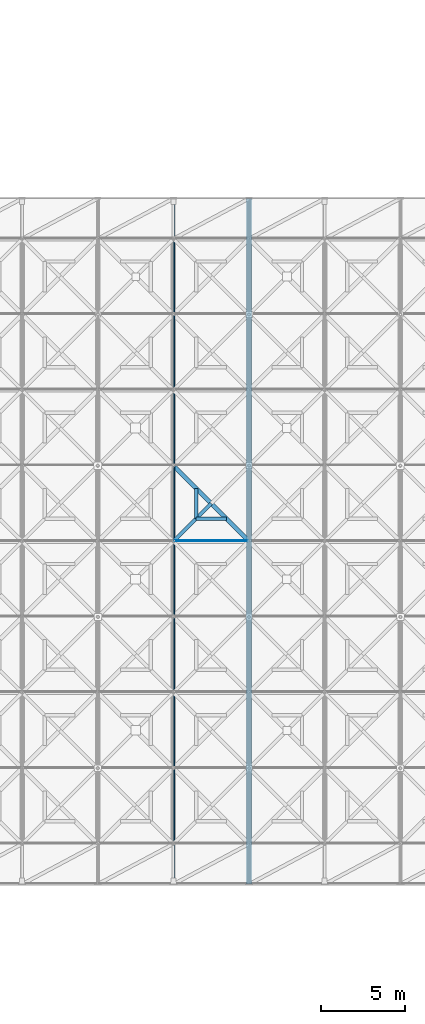
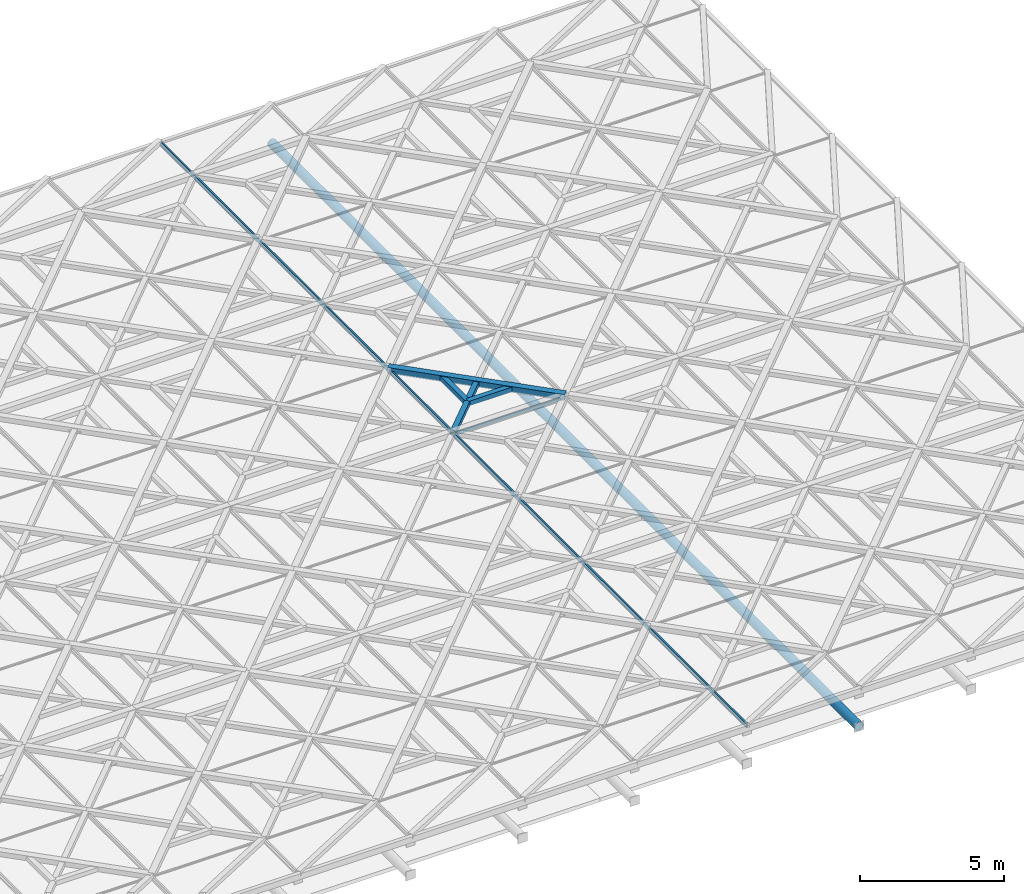
# One storey, part 39 of 80: 7 members, 1 element without a shape of its own.
"""IFC4 building model written with IfcOpenShell, lengths in metres."""

from ifc_helpers import new_model, si_unit, direction, frame, origin, origin_2d, place, context, subcontext, project, spatial, rectangle, hollow_rectangle, hollow_circle, extrude, material, material_profile, profile_set, type_object, element, aggregate, save


model = new_model("IFC4")

# Units and contexts
model_context = context("Model", 3, precision=1e-05, world=origin(), true_north=direction((0.0, 1.0)))
body_context = subcontext(model_context, "Body", "Model", "MODEL_VIEW")
ifc_project = project(units=[si_unit("LENGTHUNIT", "METRE"), si_unit("AREAUNIT", "SQUARE_METRE"), si_unit("VOLUMEUNIT", "CUBIC_METRE"), si_unit("PLANEANGLEUNIT", "RADIAN"), si_unit("MASSUNIT", "GRAM", prefix="KILO"), si_unit("THERMODYNAMICTEMPERATUREUNIT", "KELVIN"), si_unit("POWERUNIT", "WATT")], contexts=[model_context])

# Site, building, storey
site_placement = place(None, origin())
site = spatial("IfcSite", under=ifc_project, at=site_placement, CompositionType="ELEMENT")
building_placement = place(site_placement, origin())
building = spatial("IfcBuilding", under=site, at=building_placement, Name="Tallowbark Science Centre", CompositionType="ELEMENT")
storey_placement = place(building_placement, frame((0.0, 0.0, 25.949951171875)))
storey = spatial("IfcBuildingStorey", under=building, at=storey_placement, Name="ROOF", CompositionType="ELEMENT", Elevation=25.949951171875)

# Curtain wall, members
ifc_material_1 = material(Name="Blue-Tinted Laminated Low-E Skylight Glass", Category="glass")
curtain_wall_type = type_object("IfcCurtainWallType", Name="CW-SKY-ROOF", PredefinedType="NOTDEFINED", material=ifc_material_1)
curtain_wall_placement = place(storey_placement, origin())
curtain_wall = element("IfcCurtainWall", 1, at=curtain_wall_placement, inside=storey, type_object=curtain_wall_type, Name="Exhibition Star-Screen Skylight Bay 8", PredefinedType="NOTDEFINED")
ifc_material_2 = material(Name="Anodised Architectural Aluminium Alloy 6063-T6", Category="aluminium")
ifc_material_profile_1 = material_profile(ifc_material_2, rectangle(XDim=0.06494140625, YDim=0.179931640625, at=origin_2d()), Name="ALU65x180")
ifc_profile_set_1 = profile_set([ifc_material_profile_1], Name="Anodised Architectural Aluminium Alloy 6063-T6")
member_type_1 = type_object("IfcMemberType", Name="CWM-SKY-MUL", PredefinedType="MULLION", material=ifc_profile_set_1)
member_1_placement = place(storey_placement, frame((85.5400390625, 2.14990234375, 0.35205078125), z_axis=(0.0, 1.0, 0.0), x_axis=(-1.0, 0.0, 0.0)))
member_1 = element("IfcMember", 2, at=member_1_placement, type_object=member_type_1, Name="Skylight Bay 8 Mullion W", PredefinedType="MULLION", context=body_context, shape_type="SweptSolid", body=[
    extrude(rectangle(XDim=0.06494140625, YDim=0.179931640625, at=origin_2d()), origin(), (0.0, 0.0, 1.0), 40.7001953125),
])
ifc_material_profile_2 = material_profile(ifc_material_2, rectangle(XDim=0.054931640625, YDim=0.1201171875, at=origin_2d()), Name="ALU55x120")
ifc_profile_set_2 = profile_set([ifc_material_profile_2], Name="Anodised Architectural Aluminium Alloy 6063-T6")
member_type_2 = type_object("IfcMemberType", Name="CWM-SKY-TRN", PredefinedType="USERDEFINED", material=ifc_profile_set_2)
member_2_placement = place(storey_placement, frame((85.580078125, 22.5400390625, 0.35205078125), z_axis=(1.0, 0.0, 0.0), x_axis=(0.0, 1.0, 0.0)))
member_2 = element("IfcMember", 3, at=member_2_placement, type_object=member_type_2, Name="Skylight Bay 8 Transom 6", ObjectType="TRANSOM", PredefinedType="USERDEFINED", context=body_context, shape_type="SweptSolid", body=[
    extrude(rectangle(XDim=0.054931640625, YDim=0.1201171875, at=origin_2d()), origin(), (0.0, 0.0, 1.0), 4.33984375),
])
aggregate(curtain_wall, [member_1, member_2])

# Members
ifc_material_3 = material(Name="White Architectural Painted Steel Grade C350L0 (350 MPa)", Category="steel")
ifc_material_profile_3 = material_profile(ifc_material_3, hollow_rectangle(XDim=0.25, YDim=0.25, WallThickness=0.009033203125, at=origin_2d()), Name="250x250x9.0SHS")
ifc_profile_set_3 = profile_set([ifc_material_profile_3], Name="White Architectural Painted Steel Grade C350L0 (350 MPa)")
member_type_3 = type_object("IfcMemberType", Name="SCR-CHD200", PredefinedType="CHORD", material=ifc_profile_set_3)
member_3_placement = place(storey_placement, frame((85.5, 27.0, 0.449951171875), z_axis=(0.707106781187, -0.707106781187, 0.0), x_axis=(0.707106781187, 0.707106781187, 0.0)))
element("IfcMember", 4, at=member_3_placement, inside=storey, type_object=member_type_3, Name="Star Screen Octagram Diamond Chord TOP-68-4", PredefinedType="CHORD", context=body_context, shape_type="SweptSolid", body=[
    extrude(hollow_rectangle(XDim=0.25, YDim=0.25, WallThickness=0.009033203125, at=origin_2d()), origin(), (0.0, 0.0, 1.0), 6.364013671875),
])
ifc_material_profile_4 = material_profile(ifc_material_3, hollow_rectangle(XDim=0.199951171875, YDim=0.199951171875, WallThickness=0.009033203125, at=origin_2d()), Name="200x200x9.0SHS")
ifc_profile_set_4 = profile_set([ifc_material_profile_4], Name="White Architectural Painted Steel Grade C350L0 (350 MPa)")
member_type_4 = type_object("IfcMemberType", Name="SCR-STAR139", PredefinedType="BRACE", material=ifc_profile_set_4)
member_4_placement = place(storey_placement, frame((85.5, 22.5, 0.449951171875), z_axis=(0.707106781187, 0.707106781187, 0.0), x_axis=(-0.707106781187, 0.707106781187, 0.0)))
element("IfcMember", 5, at=member_4_placement, inside=storey, type_object=member_type_4, Name="Star Screen Continuous X-Diagonal D1A TOP-68", PredefinedType="BRACE", context=body_context, shape_type="SweptSolid", body=[
    extrude(hollow_rectangle(XDim=0.199951171875, YDim=0.199951171875, WallThickness=0.009033203125, at=origin_2d()), origin(), (0.0, 0.0, 1.0), 3.181884765625),
])
ifc_material_profile_5 = material_profile(ifc_material_3, hollow_rectangle(XDim=0.199951171875, YDim=0.199951171875, WallThickness=0.009033203125, at=origin_2d()), Name="200x200x9.0SHS")
ifc_profile_set_5 = profile_set([ifc_material_profile_5], Name="White Architectural Painted Steel Grade C350L0 (350 MPa)")
member_type_5 = type_object("IfcMemberType", Name="SCR-SUB150", PredefinedType="BRACE", material=ifc_profile_set_5)
for number, where, z_axis, x_axis, name in (
    (6, (86.85009765625, 23.85009765625, 0.449951171875), (1.0, 0.0, 0.0), (0.0, 1.0, 0.0), "Star Screen Octagram Point Ray TOP-68-1"),
    (7, (86.85009765625, 23.85009765625, 0.449951171875), (0.0, 1.0, 0.0), (-1.0, 0.0, 0.0), "Star Screen Octagram Point Ray TOP-68-2"),
):
    element("IfcMember", number, at=place(storey_placement, frame(where, z_axis=z_axis, x_axis=x_axis)), inside=storey, type_object=member_type_5, Name=name, PredefinedType="BRACE", context=body_context, shape_type="SweptSolid", body=[
        extrude(hollow_rectangle(XDim=0.199951171875, YDim=0.199951171875, WallThickness=0.009033203125, at=origin_2d()), origin(), (0.0, 0.0, 1.0), 1.7998046875),
    ])
ifc_material_profile_6 = material_profile(ifc_material_3, hollow_circle(Radius=0.177734375, WallThickness=0.0126953125, at=origin_2d()), Name="355.6x12.7CHS")
ifc_profile_set_6 = profile_set([ifc_material_profile_6], Name="White Architectural Painted Steel Grade C350L0 (350 MPa)")
member_type_6 = type_object("IfcMemberType", Name="TR-CHD355", PredefinedType="CHORD", material=ifc_profile_set_6)
member_5_placement = place(storey_placement, frame((90.0, 2.10009765625, -1.199951171875), z_axis=(0.0, 1.0, 0.0), x_axis=(-1.0, 0.0, 0.0)))
element("IfcMember", 8, at=member_5_placement, inside=storey, type_object=member_type_6, Name="Exhibition Roof Truss Bottom Chord 8", PredefinedType="CHORD", context=body_context, shape_type="SweptSolid", body=[
    extrude(hollow_circle(Radius=0.177734375, WallThickness=0.0126953125, at=origin_2d()), origin(), (0.0, 0.0, 1.0), 40.7998046875),
])

save(model, "model.ifc")
